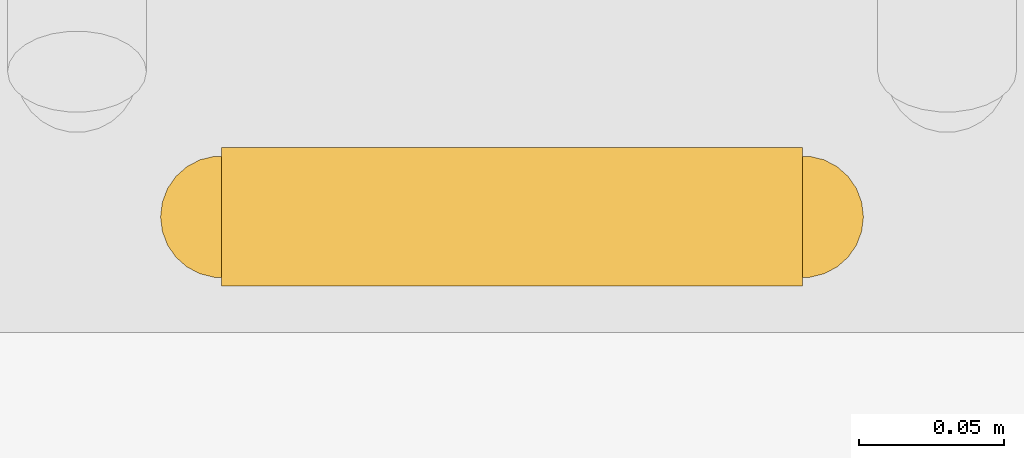
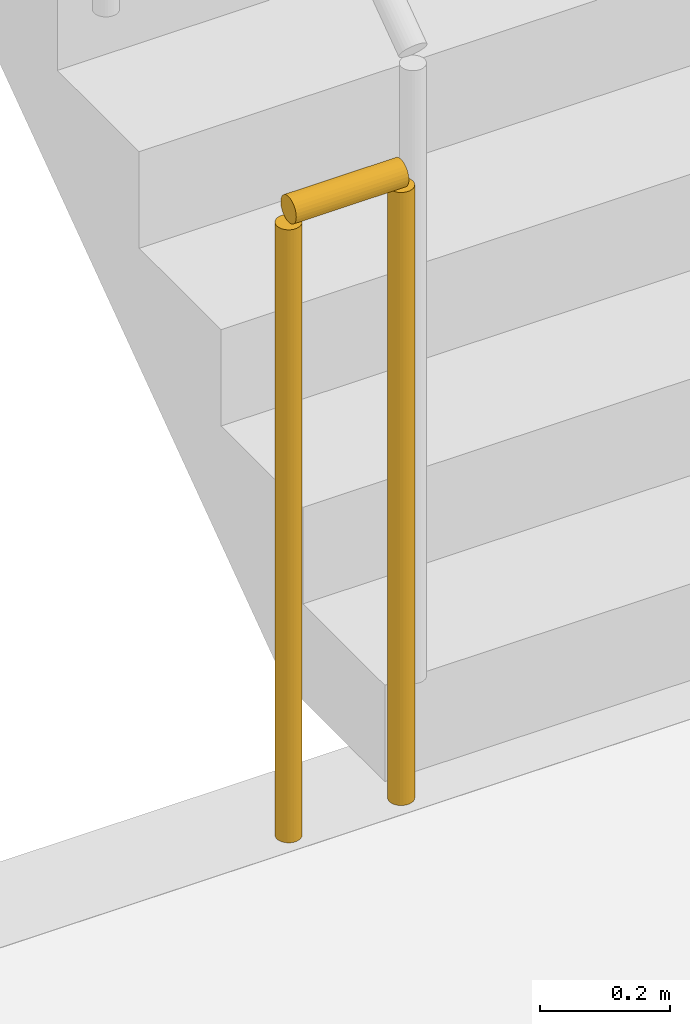
# One storey, part 30 of 36: 1 railing.
"""IFC4 building model written with IfcOpenShell, lengths in metres."""

from ifc_helpers import new_model, si_unit, direction, frame, origin, origin_2d, place, context, subcontext, project, spatial, circle, extrude, material, layer, layer_set, type_object, element, save


model = new_model("IFC4")

# Units and contexts
model_context = context("Model", 3, precision=1e-05, world=origin(), true_north=direction((0.0, 1.0)))
body_context = subcontext(model_context, "Body", "Model", "MODEL_VIEW")
ifc_project = project(units=[si_unit("LENGTHUNIT", "METRE"), si_unit("AREAUNIT", "SQUARE_METRE"), si_unit("VOLUMEUNIT", "CUBIC_METRE"), si_unit("PLANEANGLEUNIT", "RADIAN"), si_unit("MASSUNIT", "GRAM", prefix="KILO")], contexts=[model_context])

# Site, building, storey
site_placement = place(None, origin())
site = spatial("IfcSite", under=ifc_project, at=site_placement, CompositionType="ELEMENT")
building_placement = place(site_placement, origin())
building = spatial("IfcBuilding", under=site, at=building_placement, Name="Noeulbin Bourse Tower", CompositionType="ELEMENT")
storey_placement = place(building_placement, origin())
storey = spatial("IfcBuildingStorey", under=building, at=storey_placement, Name="L01", CompositionType="ELEMENT", Elevation=0.0)

# Railing
ifc_material = material(Name="Painted Tubular Steel S355", Category="steel")
ifc_layer = layer(ifc_material, 0.048095703125)
ifc_layer_set = layer_set([ifc_layer], Name="Painted Tubular Steel S355")
railing_type = type_object("IfcRailingType", Name="RLG-STR-GRD", PredefinedType="GUARDRAIL", material=ifc_layer_set)
railing_placement = place(storey_placement, frame((40.830078125, 31.760009765625, 0.0)))
element("IfcRailing", 1, at=railing_placement, inside=storey, type_object=railing_type, Name="L01 ST-2 stair guard 4", PredefinedType="GUARDRAIL", context=body_context, shape_type="SweptSolid", body=[
    extrude(circle(Radius=0.02392578125, at=origin_2d()), frame((0.0, 0.0, 1.17578125), z_axis=(-1.0, 0.0, 0.0), x_axis=(0.0, -1.0, 0.0)), (0.0, 0.0, 1.0), 0.2001953125),
    extrude(circle(Radius=0.02099609375, at=origin_2d()), origin(), (0.0, 0.0, 1.0), 1.15185546875),
    extrude(circle(Radius=0.02099609375, at=origin_2d()), frame((-0.2001953125, 0.0, 0.0)), (0.0, 0.0, 1.0), 1.15185546875),
])

save(model, "model.ifc")
